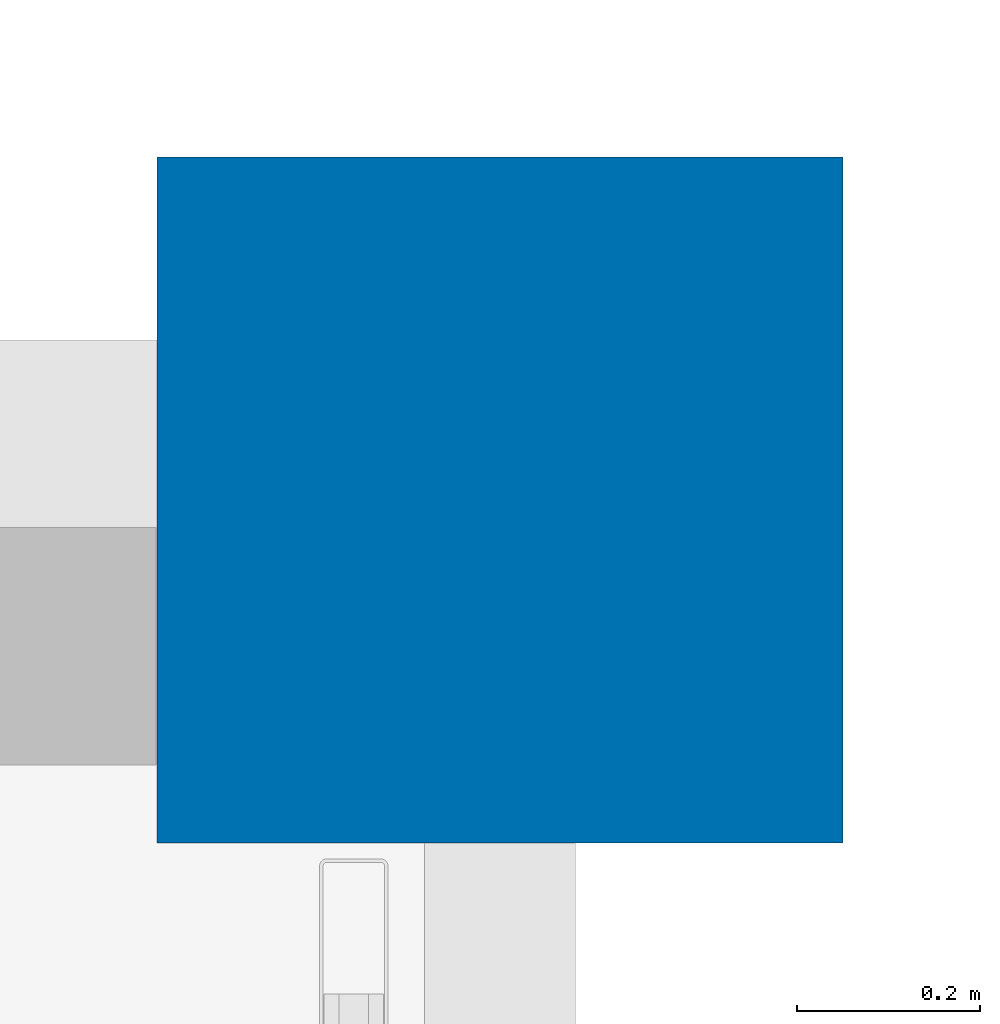
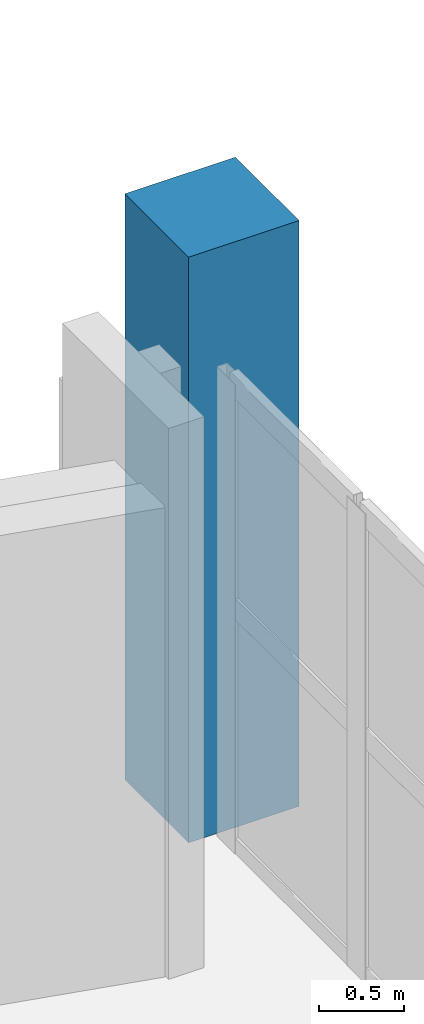
# One storey, part 4 of 94: 1 column.
"""IFC4 building model written with IfcOpenShell, lengths in metres."""

from ifc_helpers import new_model, si_unit, direction, frame, origin, origin_2d, place, context, subcontext, project, spatial, rectangle, extrude, material, material_profile, profile_set, type_object, element, save


model = new_model("IFC4")

# Units and contexts
model_context = context("Model", 3, precision=1e-05, world=origin(), true_north=direction((0.0, 1.0)))
body_context = subcontext(model_context, "Body", "Model", "MODEL_VIEW")
ifc_project = project(units=[si_unit("LENGTHUNIT", "METRE"), si_unit("AREAUNIT", "SQUARE_METRE"), si_unit("VOLUMEUNIT", "CUBIC_METRE"), si_unit("PLANEANGLEUNIT", "RADIAN"), si_unit("MASSUNIT", "GRAM", prefix="KILO")], contexts=[model_context])

# Site, building, storey
site_placement = place(None, origin())
site = spatial("IfcSite", under=ifc_project, at=site_placement, CompositionType="ELEMENT")
building_placement = place(site_placement, origin())
building = spatial("IfcBuilding", under=site, at=building_placement, Name="Kalmorath City Hall", CompositionType="ELEMENT")
storey_placement = place(building_placement, frame((0.0, 0.0, 14.699951171875)))
storey = spatial("IfcBuildingStorey", under=building, at=storey_placement, Name="L03", CompositionType="ELEMENT", Elevation=14.699951171875)

# Column
ifc_material = material(Name="Concrete C50/60", Category="concrete")
ifc_material_profile = material_profile(ifc_material, rectangle(XDim=0.75, YDim=0.75, at=origin_2d()), Name="RC-COL-750X750")
ifc_profile_set = profile_set([ifc_material_profile], Name="Concrete C50/60")
column_type = type_object("IfcColumnType", Name="Concrete column 750x750", PredefinedType="COLUMN", material=ifc_profile_set)
column_placement = place(storey_placement, frame((36.0, 36.0, 0.0), z_axis=(0.0, 0.0, 1.0), x_axis=(1.0, 0.0, 0.0)))
element("IfcColumn", 1, at=column_placement, inside=storey, type_object=column_type, Name="L03 column C3 (6/6)", PredefinedType="COLUMN", context=body_context, shape_type="SweptSolid", body=[
    extrude(rectangle(XDim=0.75, YDim=0.75, at=origin_2d()), origin(), (0.0, 0.0, 1.0), 4.199951171875),
])

save(model, "model.ifc")
